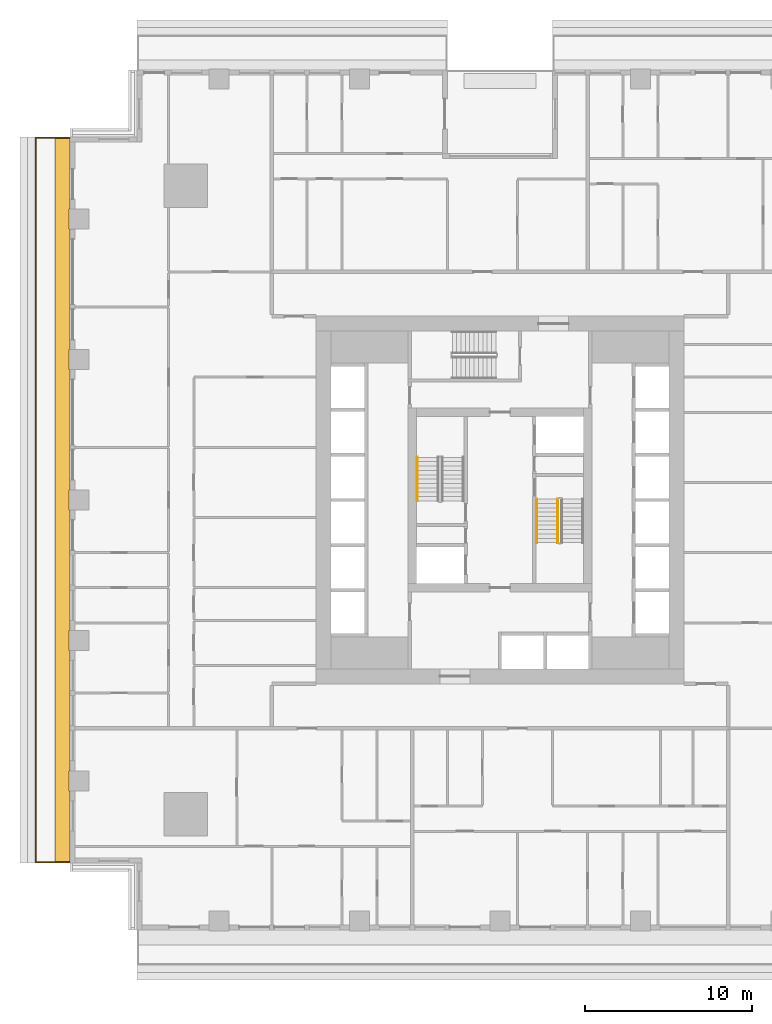
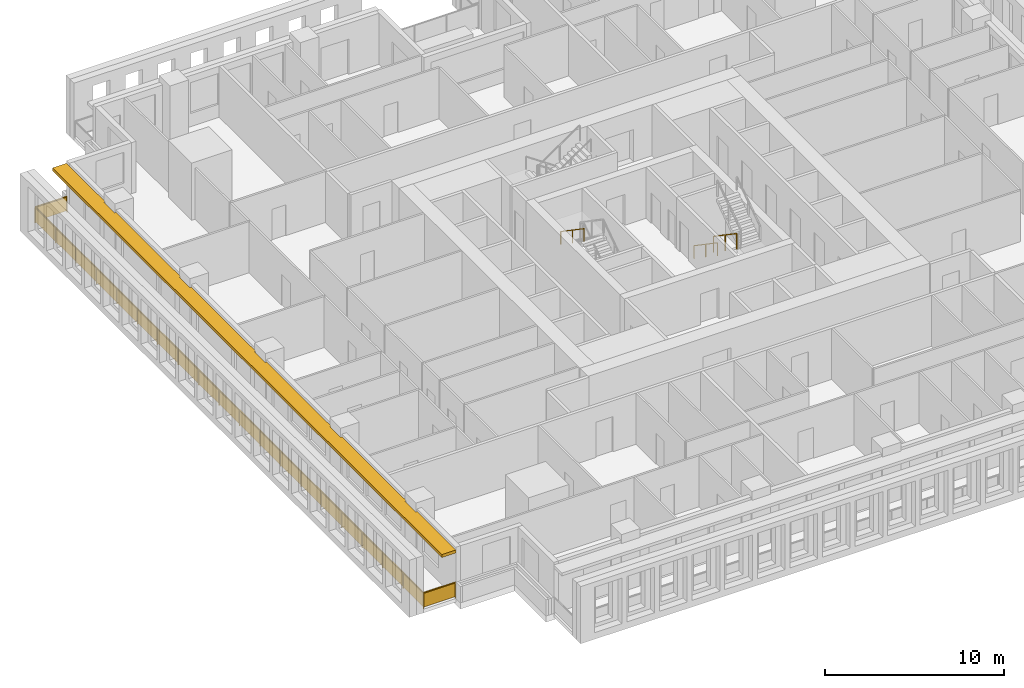
# One storey, part 12 of 16: 4 railings, 1 shading device.
"""IFC4 building model written with IfcOpenShell, lengths in metres."""

from ifc_helpers import new_model, si_unit, direction, frame, origin, origin_2d, place, context, subcontext, project, spatial, polyline, rectangle, outline, extrude, material, layer, layer_set, type_object, element, save


model = new_model("IFC4")

# Units and contexts
model_context = context("Model", 3, precision=1e-05, world=origin(), true_north=direction((0.0, 1.0)))
body_context = subcontext(model_context, "Body", "Model", "MODEL_VIEW")
ifc_project = project(units=[si_unit("LENGTHUNIT", "METRE"), si_unit("AREAUNIT", "SQUARE_METRE"), si_unit("VOLUMEUNIT", "CUBIC_METRE"), si_unit("PLANEANGLEUNIT", "RADIAN"), si_unit("MASSUNIT", "GRAM", prefix="KILO")], contexts=[model_context])

# Site, building, storey
site_placement = place(None, origin())
site = spatial("IfcSite", under=ifc_project, at=site_placement, CompositionType="ELEMENT")
building_placement = place(site_placement, origin())
building = spatial("IfcBuilding", under=site, at=building_placement, Name="Khepri Terraces", CompositionType="ELEMENT")
storey_placement = place(building_placement, frame((0.0, 0.0, 133.800048828125)))
storey = spatial("IfcBuildingStorey", under=building, at=storey_placement, Name="L31", CompositionType="ELEMENT", Elevation=133.800048828125)

# Railings
ifc_material_1 = material(Name="Stainless steel grade 316", Category="steel")
railing_type_1 = type_object("IfcRailingType", Name="GRD-BAL-1100", PredefinedType="GUARDRAIL", material=ifc_material_1)
railing_1_placement = place(storey_placement, frame((-25.719970703125, 21.669921875, 0.0)))
element("IfcRailing", 1, at=railing_1_placement, inside=storey, type_object=railing_type_1, Name="Balcony guard L31 W", PredefinedType="GUARDRAIL", context=body_context, shape_type="SweptSolid", body=[
    extrude(rectangle(XDim=0.050048828125, YDim=0.06005859375, at=origin_2d()), frame((0.0, 0.0, 1.070068359375), z_axis=(-1.0, 0.0, 0.0), x_axis=(0.0, -1.0, 0.0)), (0.0, 0.0, 1.0), 2.050048828125),
    extrude(rectangle(XDim=2.0, YDim=0.011962890625, at=origin_2d()), frame((-1.02490234375, 0.0, 0.10009765625), z_axis=(0.0, 0.0, 1.0), x_axis=(-1.0, 0.0, 0.0)), (0.0, 0.0, 1.0), 0.93994140625),
    extrude(rectangle(XDim=0.050048828125, YDim=0.06005859375, at=origin_2d()), frame((-2.050048828125, 0.0, 1.070068359375), z_axis=(0.0, -1.0, 0.0), x_axis=(1.0, 0.0, 0.0)), (0.0, 0.0, 1.0), 43.33984375),
    extrude(rectangle(XDim=2.23095703125, YDim=0.011962890625, at=origin_2d()), frame((-2.050048828125, -1.140625, 0.10009765625), z_axis=(0.0, 0.0, 1.0), x_axis=(0.0, -1.0, 0.0)), (0.0, 0.0, 1.0), 0.93994140625),
    extrude(rectangle(XDim=2.23095703125, YDim=0.011962890625, at=origin_2d()), frame((-2.050048828125, -3.421630859375, 0.10009765625), z_axis=(0.0, 0.0, 1.0), x_axis=(0.0, -1.0, 0.0)), (0.0, 0.0, 1.0), 0.93994140625),
    extrude(rectangle(XDim=2.23095703125, YDim=0.011962890625, at=origin_2d()), frame((-2.050048828125, -5.70263671875, 0.10009765625), z_axis=(0.0, 0.0, 1.0), x_axis=(0.0, -1.0, 0.0)), (0.0, 0.0, 1.0), 0.93994140625),
    extrude(rectangle(XDim=2.23095703125, YDim=0.011962890625, at=origin_2d()), frame((-2.050048828125, -7.983642578125, 0.10009765625), z_axis=(0.0, 0.0, 1.0), x_axis=(0.0, -1.0, 0.0)), (0.0, 0.0, 1.0), 0.93994140625),
    extrude(rectangle(XDim=2.23095703125, YDim=0.011962890625, at=origin_2d()), frame((-2.050048828125, -10.2646484375, 0.10009765625), z_axis=(0.0, 0.0, 1.0), x_axis=(0.0, -1.0, 0.0)), (0.0, 0.0, 1.0), 0.93994140625),
    extrude(rectangle(XDim=2.23095703125, YDim=0.011962890625, at=origin_2d()), frame((-2.050048828125, -12.545654296875, 0.10009765625), z_axis=(0.0, 0.0, 1.0), x_axis=(0.0, -1.0, 0.0)), (0.0, 0.0, 1.0), 0.93994140625),
    extrude(rectangle(XDim=2.23095703125, YDim=0.011962890625, at=origin_2d()), frame((-2.050048828125, -14.826904296875, 0.10009765625), z_axis=(0.0, 0.0, 1.0), x_axis=(0.0, -1.0, 0.0)), (0.0, 0.0, 1.0), 0.93994140625),
    extrude(rectangle(XDim=2.23095703125, YDim=0.011962890625, at=origin_2d()), frame((-2.050048828125, -17.10791015625, 0.10009765625), z_axis=(0.0, 0.0, 1.0), x_axis=(0.0, -1.0, 0.0)), (0.0, 0.0, 1.0), 0.93994140625),
    extrude(rectangle(XDim=2.23095703125, YDim=0.011962890625, at=origin_2d()), frame((-2.050048828125, -19.388916015625, 0.10009765625), z_axis=(0.0, 0.0, 1.0), x_axis=(0.0, -1.0, 0.0)), (0.0, 0.0, 1.0), 0.93994140625),
    extrude(rectangle(XDim=2.23095703125, YDim=0.011962890625, at=origin_2d()), frame((-2.050048828125, -21.669921875, 0.10009765625), z_axis=(0.0, 0.0, 1.0), x_axis=(0.0, -1.0, 0.0)), (0.0, 0.0, 1.0), 0.93994140625),
    extrude(rectangle(XDim=2.23095703125, YDim=0.011962890625, at=origin_2d()), frame((-2.050048828125, -23.950927734375, 0.10009765625), z_axis=(0.0, 0.0, 1.0), x_axis=(0.0, -1.0, 0.0)), (0.0, 0.0, 1.0), 0.93994140625),
    extrude(rectangle(XDim=2.23095703125, YDim=0.011962890625, at=origin_2d()), frame((-2.050048828125, -26.23193359375, 0.10009765625), z_axis=(0.0, 0.0, 1.0), x_axis=(0.0, -1.0, 0.0)), (0.0, 0.0, 1.0), 0.93994140625),
    extrude(rectangle(XDim=2.23095703125, YDim=0.011962890625, at=origin_2d()), frame((-2.050048828125, -28.512939453125, 0.10009765625), z_axis=(0.0, 0.0, 1.0), x_axis=(0.0, -1.0, 0.0)), (0.0, 0.0, 1.0), 0.93994140625),
    extrude(rectangle(XDim=2.23095703125, YDim=0.011962890625, at=origin_2d()), frame((-2.050048828125, -30.794189453125, 0.10009765625), z_axis=(0.0, 0.0, 1.0), x_axis=(0.0, -1.0, 0.0)), (0.0, 0.0, 1.0), 0.93994140625),
    extrude(rectangle(XDim=2.23095703125, YDim=0.011962890625, at=origin_2d()), frame((-2.050048828125, -33.0751953125, 0.10009765625), z_axis=(0.0, 0.0, 1.0), x_axis=(0.0, -1.0, 0.0)), (0.0, 0.0, 1.0), 0.93994140625),
    extrude(rectangle(XDim=2.23095703125, YDim=0.011962890625, at=origin_2d()), frame((-2.050048828125, -35.356201171875, 0.10009765625), z_axis=(0.0, 0.0, 1.0), x_axis=(0.0, -1.0, 0.0)), (0.0, 0.0, 1.0), 0.93994140625),
    extrude(rectangle(XDim=2.23095703125, YDim=0.011962890625, at=origin_2d()), frame((-2.050048828125, -37.63720703125, 0.10009765625), z_axis=(0.0, 0.0, 1.0), x_axis=(0.0, -1.0, 0.0)), (0.0, 0.0, 1.0), 0.93994140625),
    extrude(rectangle(XDim=2.23095703125, YDim=0.011962890625, at=origin_2d()), frame((-2.050048828125, -39.918212890625, 0.10009765625), z_axis=(0.0, 0.0, 1.0), x_axis=(0.0, -1.0, 0.0)), (0.0, 0.0, 1.0), 0.93994140625),
    extrude(rectangle(XDim=2.23095703125, YDim=0.011962890625, at=origin_2d()), frame((-2.050048828125, -42.19921875, 0.10009765625), z_axis=(0.0, 0.0, 1.0), x_axis=(0.0, -1.0, 0.0)), (0.0, 0.0, 1.0), 0.93994140625),
    extrude(rectangle(XDim=0.050048828125, YDim=0.06005859375, at=origin_2d()), frame((-2.050048828125, -43.33984375, 1.070068359375), z_axis=(1.0, 0.0, 0.0), x_axis=(0.0, 1.0, 0.0)), (0.0, 0.0, 1.0), 2.050048828125),
    extrude(rectangle(XDim=2.0, YDim=0.011962890625, at=origin_2d()), frame((-1.02490234375, -43.33984375, 0.10009765625), z_axis=(0.0, 0.0, 1.0), x_axis=(1.0, 0.0, 0.0)), (0.0, 0.0, 1.0), 0.93994140625),
    extrude(rectangle(XDim=0.050048828125, YDim=0.050048828125, at=origin_2d()), origin(), (0.0, 0.0, 1.0), 1.0400390625),
    extrude(rectangle(XDim=0.050048828125, YDim=0.050048828125, at=origin_2d()), frame((-2.050048828125, 0.0, 0.0)), (0.0, 0.0, 1.0), 1.0400390625),
    extrude(rectangle(XDim=0.050048828125, YDim=0.050048828125, at=origin_2d()), frame((-2.050048828125, -2.281005859375, 0.0)), (0.0, 0.0, 1.0), 1.0400390625),
    extrude(rectangle(XDim=0.050048828125, YDim=0.050048828125, at=origin_2d()), frame((-2.050048828125, -4.56201171875, 0.0)), (0.0, 0.0, 1.0), 1.0400390625),
    extrude(rectangle(XDim=0.050048828125, YDim=0.050048828125, at=origin_2d()), frame((-2.050048828125, -6.843017578125, 0.0)), (0.0, 0.0, 1.0), 1.0400390625),
    extrude(rectangle(XDim=0.050048828125, YDim=0.050048828125, at=origin_2d()), frame((-2.050048828125, -9.124267578125, 0.0)), (0.0, 0.0, 1.0), 1.0400390625),
    extrude(rectangle(XDim=0.050048828125, YDim=0.050048828125, at=origin_2d()), frame((-2.050048828125, -11.4052734375, 0.0)), (0.0, 0.0, 1.0), 1.0400390625),
    extrude(rectangle(XDim=0.050048828125, YDim=0.050048828125, at=origin_2d()), frame((-2.050048828125, -13.686279296875, 0.0)), (0.0, 0.0, 1.0), 1.0400390625),
    extrude(rectangle(XDim=0.050048828125, YDim=0.050048828125, at=origin_2d()), frame((-2.050048828125, -15.96728515625, 0.0)), (0.0, 0.0, 1.0), 1.0400390625),
    extrude(rectangle(XDim=0.050048828125, YDim=0.050048828125, at=origin_2d()), frame((-2.050048828125, -18.248291015625, 0.0)), (0.0, 0.0, 1.0), 1.0400390625),
    extrude(rectangle(XDim=0.050048828125, YDim=0.050048828125, at=origin_2d()), frame((-2.050048828125, -20.529296875, 0.0)), (0.0, 0.0, 1.0), 1.0400390625),
    extrude(rectangle(XDim=0.050048828125, YDim=0.050048828125, at=origin_2d()), frame((-2.050048828125, -22.810546875, 0.0)), (0.0, 0.0, 1.0), 1.0400390625),
    extrude(rectangle(XDim=0.050048828125, YDim=0.050048828125, at=origin_2d()), frame((-2.050048828125, -25.091552734375, 0.0)), (0.0, 0.0, 1.0), 1.0400390625),
    extrude(rectangle(XDim=0.050048828125, YDim=0.050048828125, at=origin_2d()), frame((-2.050048828125, -27.37255859375, 0.0)), (0.0, 0.0, 1.0), 1.0400390625),
    extrude(rectangle(XDim=0.050048828125, YDim=0.050048828125, at=origin_2d()), frame((-2.050048828125, -29.653564453125, 0.0)), (0.0, 0.0, 1.0), 1.0400390625),
    extrude(rectangle(XDim=0.050048828125, YDim=0.050048828125, at=origin_2d()), frame((-2.050048828125, -31.9345703125, 0.0)), (0.0, 0.0, 1.0), 1.0400390625),
    extrude(rectangle(XDim=0.050048828125, YDim=0.050048828125, at=origin_2d()), frame((-2.050048828125, -34.215576171875, 0.0)), (0.0, 0.0, 1.0), 1.0400390625),
    extrude(rectangle(XDim=0.050048828125, YDim=0.050048828125, at=origin_2d()), frame((-2.050048828125, -36.496826171875, 0.0)), (0.0, 0.0, 1.0), 1.0400390625),
    extrude(rectangle(XDim=0.050048828125, YDim=0.050048828125, at=origin_2d()), frame((-2.050048828125, -38.77783203125, 0.0)), (0.0, 0.0, 1.0), 1.0400390625),
    extrude(rectangle(XDim=0.050048828125, YDim=0.050048828125, at=origin_2d()), frame((-2.050048828125, -41.058837890625, 0.0)), (0.0, 0.0, 1.0), 1.0400390625),
    extrude(rectangle(XDim=0.050048828125, YDim=0.050048828125, at=origin_2d()), frame((-2.050048828125, -43.33984375, 0.0)), (0.0, 0.0, 1.0), 1.0400390625),
    extrude(rectangle(XDim=0.050048828125, YDim=0.050048828125, at=origin_2d()), frame((0.0, -43.33984375, 0.0)), (0.0, 0.0, 1.0), 1.0400390625),
])
ifc_material_2 = material(Name="Stainless steel 316", Category="steel")
railing_type_2 = type_object("IfcRailingType", Name="RL-CORE-GUARD", PredefinedType="GUARDRAIL", material=ifc_material_2)
railing_2_placement = place(storey_placement, frame((3.449951171875, 0.050048828125, 0.17724609375)))
element("IfcRailing", 2, at=railing_2_placement, inside=storey, type_object=railing_type_2, Name="L31 ST-2 stair guard 1", PredefinedType="GUARDRAIL", context=body_context, shape_type="SweptSolid", body=[
    extrude(rectangle(XDim=0.050048828125, YDim=0.06005859375, at=origin_2d()), frame((0.0, 0.0, 1.070068359375), z_axis=(0.0, -0.826240473404, 0.563317565952), x_axis=(1.0, 0.0, 0.0)), (0.0, 0.0, 1.0), 3.14697265625),
    extrude(rectangle(XDim=0.050048828125, YDim=0.050048828125, at=origin_2d()), origin(), (0.0, 0.0, 1.0), 1.0400390625),
    extrude(rectangle(XDim=0.050048828125, YDim=0.050048828125, at=origin_2d()), frame((0.0, -1.300048828125, 0.88623046875)), (0.0, 0.0, 1.0), 1.0400390625),
    extrude(rectangle(XDim=0.050048828125, YDim=0.050048828125, at=origin_2d()), frame((0.0, -2.60009765625, 1.772705078125)), (0.0, 0.0, 1.0), 1.0400390625),
])
railing_type_3 = type_object("IfcRailingType", Name="RL-CORE-HANDRAIL", PredefinedType="HANDRAIL", material=ifc_material_2)
for number, where, name in (
    (3, (-4.949951171875, 2.550048828125, 2.127197265625), "L31 ST-1 stair handrail 2"),
    (4, (2.199951171875, 0.050048828125, 0.17724609375), "L31 ST-2 stair handrail 1"),
):
    element("IfcRailing", number, at=place(storey_placement, frame(where)), inside=storey, type_object=railing_type_3, Name=name, PredefinedType="HANDRAIL", context=body_context, shape_type="SweptSolid", body=[
        extrude(rectangle(XDim=0.050048828125, YDim=0.050048828125, at=origin_2d()), frame((0.0, 0.0, 0.875), z_axis=(0.0, -0.826240473404, 0.563317565952), x_axis=(1.0, 0.0, 0.0)), (0.0, 0.0, 1.0), 3.14697265625),
        extrude(rectangle(XDim=0.050048828125, YDim=0.050048828125, at=origin_2d()), origin(), (0.0, 0.0, 1.0), 0.849853515625),
        extrude(rectangle(XDim=0.050048828125, YDim=0.050048828125, at=origin_2d()), frame((0.0, -1.300048828125, 0.88623046875)), (0.0, 0.0, 1.0), 0.849853515625),
        extrude(rectangle(XDim=0.050048828125, YDim=0.050048828125, at=origin_2d()), frame((0.0, -2.60009765625, 1.772705078125)), (0.0, 0.0, 1.0), 0.849853515625),
    ])

# Shading device
ifc_material_3 = material(Name="Precast concrete C50/60 warm stone", Category="masonry")
ifc_layer = layer(ifc_material_3, 0.199951171875, Name="Precast concrete C50/60 warm stone", Category="masonry")
ifc_layer_set = layer_set([ifc_layer], Name="Precast concrete C50/60 warm stone")
shading_device_type = type_object("IfcShadingDeviceType", Name="SSH-BAND-STONE-200", PredefinedType="USERDEFINED", material=ifc_layer_set)
shading_device_placement = place(storey_placement, frame((0.0, 0.0, 3.099853515625)))
element("IfcShadingDevice", 5, at=shading_device_placement, inside=storey, type_object=shading_device_type, Name="Sunshade band L31 W", ObjectType="SUNSHADE", PredefinedType="USERDEFINED", context=body_context, shape_type="SweptSolid", body=[
    extrude(outline(polyline([(-25.719970703125, 17.39990234375), (-25.719970703125, 21.719970703125), (-26.6201171875, 21.719970703125), (-26.6201171875, -21.719970703125), (-25.719970703125, -21.719970703125), (-25.719970703125, -17.39990234375), (-25.800048828125, -17.39990234375), (-25.800048828125, -16.199951171875), (-25.719970703125, -16.199951171875), (-25.719970703125, -9.0), (-25.800048828125, -9.0), (-25.800048828125, -7.800048828125), (-25.719970703125, -7.800048828125), (-25.719970703125, -0.60009765625), (-25.800048828125, -0.60009765625), (-25.800048828125, 0.60009765625), (-25.719970703125, 0.60009765625), (-25.719970703125, 7.800048828125), (-25.800048828125, 7.800048828125), (-25.800048828125, 9.0), (-25.719970703125, 9.0), (-25.719970703125, 16.199951171875), (-25.800048828125, 16.199951171875), (-25.800048828125, 17.39990234375), (-25.719970703125, 17.39990234375)])), origin(), (0.0, 0.0, 1.0), 0.2001953125),
])

save(model, "model.ifc")
